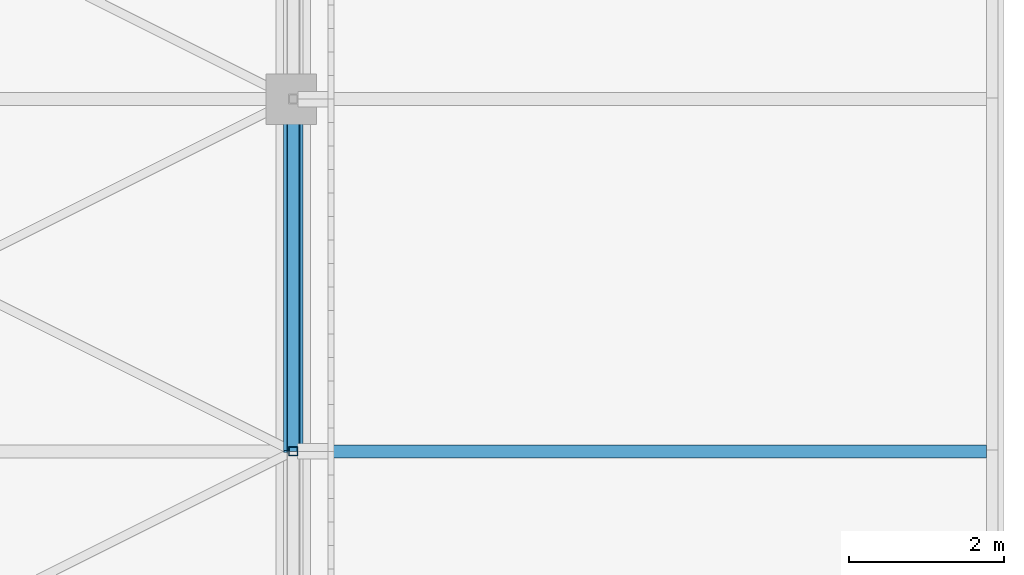
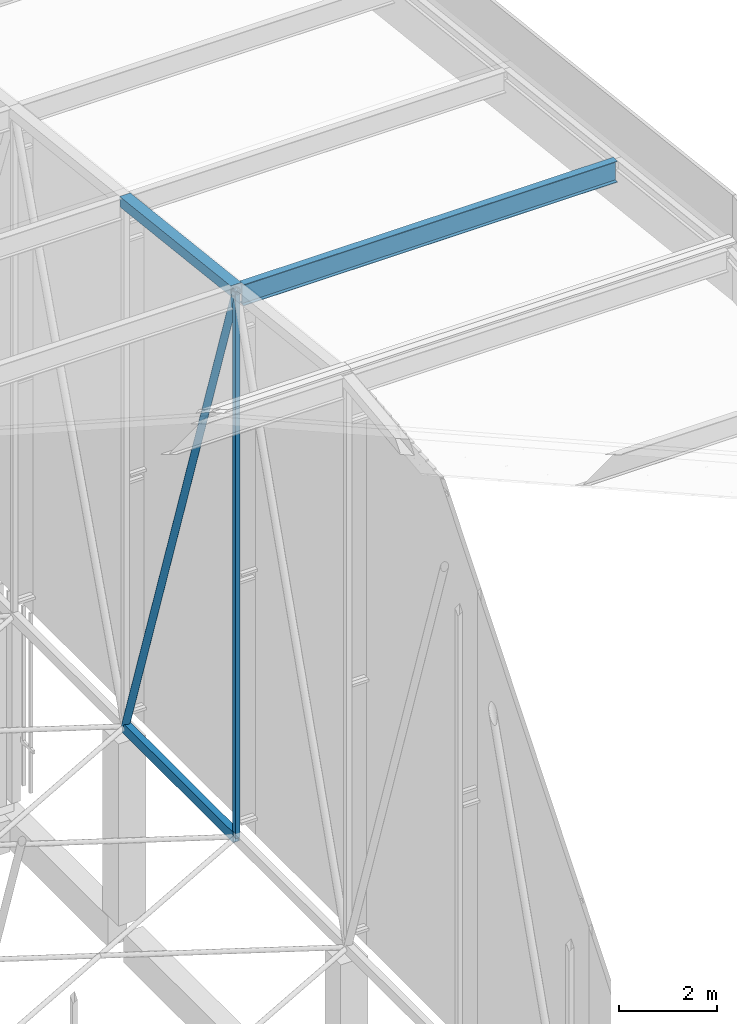
# One storey, part 375 of 500: 5 members.
"""IFC4 building model written with IfcOpenShell, lengths in metres."""

from ifc_helpers import new_model, si_unit, direction, frame, origin, origin_2d, place, context, subcontext, project, spatial, hollow_rectangle, hollow_circle, i_section, extrude, material, material_profile, profile_set, type_object, element, save


model = new_model("IFC4")

# Units and contexts
model_context = context("Model", 3, precision=1e-05, world=origin(), true_north=direction((0.0, 1.0)))
body_context = subcontext(model_context, "Body", "Model", "MODEL_VIEW")
ifc_project = project(units=[si_unit("LENGTHUNIT", "METRE"), si_unit("AREAUNIT", "SQUARE_METRE"), si_unit("VOLUMEUNIT", "CUBIC_METRE"), si_unit("PLANEANGLEUNIT", "RADIAN"), si_unit("MASSUNIT", "GRAM", prefix="KILO")], contexts=[model_context])

# Site, building, storey
site_placement = place(None, origin())
site = spatial("IfcSite", under=ifc_project, at=site_placement, CompositionType="ELEMENT")
building_placement = place(site_placement, origin())
building = spatial("IfcBuilding", under=site, at=building_placement, Name="Shirokan Park Arena", CompositionType="ELEMENT")
storey_placement = place(building_placement, frame((0.0, 0.0, 29.1201171875)))
storey = spatial("IfcBuildingStorey", under=building, at=storey_placement, Name="L06", CompositionType="ELEMENT", Elevation=29.1201171875)

# Members
ifc_material_1 = material(Name="Steel ASTM A500 Grade C", Category="steel")
ifc_material_profile_1 = material_profile(ifc_material_1, hollow_rectangle(XDim=0.152099609375, YDim=0.25390625, WallThickness=0.009521484375, at=origin_2d()), Name="HSS254X152.4X9.5")
ifc_profile_set_1 = profile_set([ifc_material_profile_1], Name="Steel ASTM A500 Grade C")
member_type_1 = type_object("IfcMemberType", Name="Bottom chord HSS254X152.4X9.5", PredefinedType="CHORD", material=ifc_profile_set_1)
member_1_placement = place(storey_placement, frame((145.60009765625, 59.14990234375, 4.677001953125), z_axis=(0.0, 1.0, 0.0), x_axis=(-1.0, 0.0, 0.0)))
element("IfcMember", 1, at=member_1_placement, inside=storey, type_object=member_type_1, Name="Truss T17 bottom chord 16", PredefinedType="CHORD", context=body_context, shape_type="SweptSolid", body=[
    extrude(hollow_rectangle(XDim=0.152099609375, YDim=0.25390625, WallThickness=0.009521484375, at=origin_2d()), origin(), (0.0, 0.0, 1.0), 4.550048828125),
])
ifc_material_2 = material(Name="Steel ASTM A992", Category="steel")
ifc_material_profile_2 = material_profile(ifc_material_2, i_section(OverallWidth=0.166015625, OverallDepth=0.528076171875, WebThickness=0.009765625, FlangeThickness=0.013671875, at=origin_2d()), Name="W530X74")
ifc_profile_set_2 = profile_set([ifc_material_profile_2], Name="Steel ASTM A992")
member_type_2 = type_object("IfcMemberType", Name="Purlin W530X74", PredefinedType="PURLIN", material=ifc_profile_set_2)
member_2_placement = place(storey_placement, frame((145.72705078125, 59.14990234375, 18.205810546875), z_axis=(1.0, 0.0, 0.0), x_axis=(0.0, 1.0, 0.0)))
element("IfcMember", 2, at=member_2_placement, inside=storey, type_object=member_type_2, Name="Eave purlin east 16", PredefinedType="PURLIN", context=body_context, shape_type="SweptSolid", body=[
    extrude(i_section(OverallWidth=0.166015625, OverallDepth=0.528076171875, WebThickness=0.009765625, FlangeThickness=0.013671875, at=origin_2d()), origin(), (0.0, 0.0, 1.0), 8.824951171875),
])
ifc_material_profile_3 = material_profile(ifc_material_1, hollow_rectangle(XDim=0.25390625, YDim=0.25390625, WallThickness=0.009521484375, at=origin_2d()), Name="HSS254X254X9.5")
ifc_profile_set_3 = profile_set([ifc_material_profile_3], Name="Steel ASTM A500 Grade C")
member_type_3 = type_object("IfcMemberType", Name="Top chord HSS254X254X9.5", PredefinedType="CHORD", material=ifc_profile_set_3)
member_3_placement = place(storey_placement, frame((145.60009765625, 59.14990234375, 18.3427734375), z_axis=(0.0, 0.993538341779, -0.113496975353), x_axis=(-1.0, 0.0, 0.0)))
element("IfcMember", 3, at=member_3_placement, inside=storey, type_object=member_type_3, Name="Truss T17 top chord 16", PredefinedType="CHORD", context=body_context, shape_type="SweptSolid", body=[
    extrude(hollow_rectangle(XDim=0.25390625, YDim=0.25390625, WallThickness=0.009521484375, at=origin_2d()), origin(), (0.0, 0.0, 1.0), 4.57958984375),
])
ifc_material_profile_4 = material_profile(ifc_material_1, hollow_circle(Radius=0.083984375, WallThickness=0.009521484375, at=origin_2d()), Name="HSS168.3X9.5")
ifc_profile_set_4 = profile_set([ifc_material_profile_4], Name="Steel ASTM A500 Grade C")
member_type_4 = type_object("IfcMemberType", Name="Truss diagonal HSS168.3X9.5", PredefinedType="BRACE", material=ifc_profile_set_4)
member_4_placement = place(storey_placement, frame((145.60009765625, 59.14990234375, 18.3427734375), z_axis=(0.0, 0.315902302102, -0.948791723998), x_axis=(-1.0, 0.0, 0.0)))
element("IfcMember", 4, at=member_4_placement, inside=storey, type_object=member_type_4, Name="Truss T17 diagonal 16", PredefinedType="BRACE", context=body_context, shape_type="SweptSolid", body=[
    extrude(hollow_circle(Radius=0.083984375, WallThickness=0.009521484375, at=origin_2d()), origin(), (0.0, 0.0, 1.0), 14.4033203125),
])
ifc_material_profile_5 = material_profile(ifc_material_1, hollow_rectangle(XDim=0.114013671875, YDim=0.114013671875, WallThickness=0.00634765625, at=origin_2d()), Name="HSS114.3X114.3X6.4")
ifc_profile_set_5 = profile_set([ifc_material_profile_5], Name="Steel ASTM A500 Grade C")
member_type_5 = type_object("IfcMemberType", Name="Truss post HSS114.3X114.3X6.4", PredefinedType="POST", material=ifc_profile_set_5)
member_5_placement = place(storey_placement, frame((145.60009765625, 59.14990234375, 4.677001953125), z_axis=(0.0, 0.0, 1.0), x_axis=(1.0, 0.0, 0.0)))
element("IfcMember", 5, at=member_5_placement, inside=storey, type_object=member_type_5, Name="Truss T17 post 16", PredefinedType="POST", context=body_context, shape_type="SweptSolid", body=[
    extrude(hollow_rectangle(XDim=0.114013671875, YDim=0.114013671875, WallThickness=0.00634765625, at=origin_2d()), origin(), (0.0, 0.0, 1.0), 13.665771484375),
])

save(model, "model.ifc")
